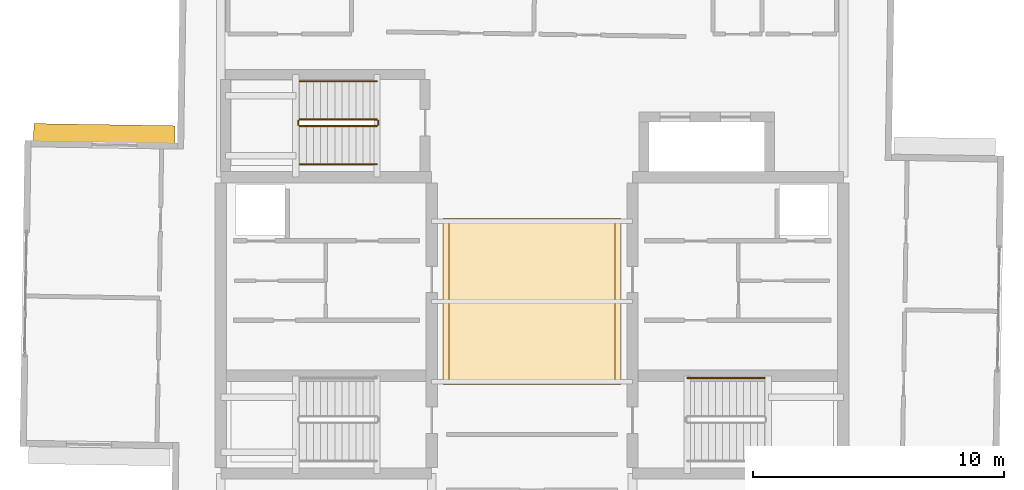
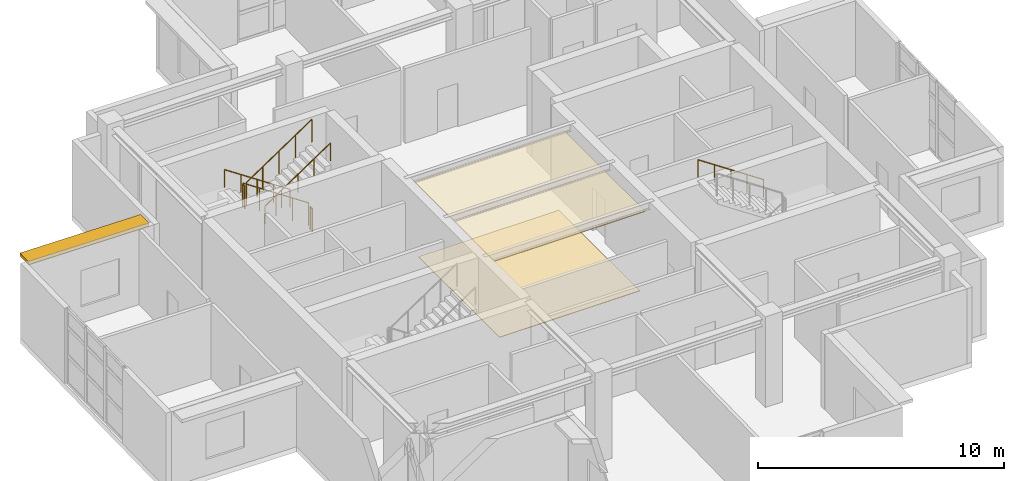
# One storey, part 14 of 15: 7 railings, 2 coverings, 1 shading device.
"""IFC4 building model written with IfcOpenShell, lengths in metres."""

from ifc_helpers import new_model, si_unit, direction, frame, origin, origin_with_axes, origin_2d, place, context, subcontext, project, spatial, rectangle, circle, extrude, material, layer, layer_set, type_object, element, save


model = new_model("IFC4")

# Units and contexts
model_context = context("Model", 3, precision=1e-05, world=origin(), true_north=direction((0.0, 1.0)))
body_context = subcontext(model_context, "Body", "Model", "MODEL_VIEW")
ifc_project = project(units=[si_unit("LENGTHUNIT", "METRE"), si_unit("AREAUNIT", "SQUARE_METRE"), si_unit("VOLUMEUNIT", "CUBIC_METRE"), si_unit("PLANEANGLEUNIT", "RADIAN"), si_unit("MASSUNIT", "GRAM", prefix="KILO")], contexts=[model_context])

# Site, building, storey
site_placement = place(None, origin())
site = spatial("IfcSite", under=ifc_project, at=site_placement, CompositionType="ELEMENT")
building_placement = place(site_placement, origin())
building = spatial("IfcBuilding", under=site, at=building_placement, Name="Qingluan Cross Belvedere", CompositionType="ELEMENT")
storey_placement = place(building_placement, frame((0.0, 0.0, 312.89990234375)))
storey = spatial("IfcBuildingStorey", under=building, at=storey_placement, Name="L77", CompositionType="ELEMENT", Elevation=312.89990234375)

# Covering
ifc_material_1 = material(Name="Perforated gypsum acoustic ceiling board")
ifc_layer_1 = layer(ifc_material_1, 0.0400390625, Name="AcousticLobbyCeiling_40")
ifc_layer_set_1 = layer_set([ifc_layer_1], Name="Perforated gypsum acoustic ceiling board")
covering_type_1 = type_object("IfcCoveringType", Name="AcousticLobbyCeiling_40", PredefinedType="CEILING", material=ifc_layer_set_1)
covering_1_placement = place(storey_placement, frame((0.0, 0.0, 3.860107421875), z_axis=(0.0, 0.0, 1.0), x_axis=(1.0, 0.0, 0.0)))
element("IfcCovering", 1, at=covering_1_placement, inside=storey, type_object=covering_type_1, Name="Central lobby acoustic ceiling L77", PredefinedType="CEILING", context=body_context, shape_type="SweptSolid", body=[
    extrude(rectangle(XDim=7.10009765625, YDim=6.60009765625, at=origin_2d()), origin(), (0.0, 0.0, 1.0), 0.0400390625),
])

# Shading device
ifc_material_2 = material(Name="Precast concrete C45", Category="concrete")
ifc_layer_2 = layer(ifc_material_2, 0.139892578125, Name="ConcreteSunshadeBand_700")
ifc_layer_set_2 = layer_set([ifc_layer_2], Name="Precast concrete C45")
shading_device_type = type_object("IfcShadingDeviceType", Name="ConcreteSunshadeBand_700", PredefinedType="USERDEFINED", material=ifc_layer_set_2)
shading_device_placement = place(storey_placement, frame((-17.037109375, 6.693359375, 3.55029296875), z_axis=(0.0, 0.0, 1.0), x_axis=(-0.999876562329, 0.015711782395, 0.0)))
element("IfcShadingDevice", 2, at=shading_device_placement, inside=storey, type_object=shading_device_type, Name="Concrete SUNSHADE L77-WA", ObjectType="SUNSHADE", PredefinedType="USERDEFINED", context=body_context, shape_type="SweptSolid", body=[
    extrude(rectangle(XDim=5.6298828125, YDim=0.699951171875, at=origin_2d()), origin(), (0.0, 0.0, 1.0), 0.159912109375),
])

# Covering
ifc_material_3 = material(Name="Honed Hubei grey granite stone flooring", Category="masonry")
ifc_layer_3 = layer(ifc_material_3, 0.030029296875, Name="GraniteLobbyFlooring_30")
ifc_layer_set_3 = layer_set([ifc_layer_3], Name="Honed Hubei grey granite stone flooring")
covering_type_2 = type_object("IfcCoveringType", Name="GraniteLobbyFlooring_30", PredefinedType="FLOORING", material=ifc_layer_set_3)
covering_2_placement = place(storey_placement, origin_with_axes())
element("IfcCovering", 3, at=covering_2_placement, inside=storey, type_object=covering_type_2, Name="Central lobby granite flooring L77", PredefinedType="FLOORING", context=body_context, shape_type="SweptSolid", body=[
    extrude(rectangle(XDim=6.60009765625, YDim=6.60009765625, at=origin_2d()), origin(), (0.0, 0.0, 1.0), 0.030029296875),
])

# Railings
ifc_material_4 = material(Name="Brushed stainless steel tubular handrail", Category="steel")
railing_type_1 = type_object("IfcRailingType", Name="StairPitchHandrail_900", PredefinedType="HANDRAIL", material=ifc_material_4)
for number, where, name in (
    (4, (9.260009765625, -3.050048828125, 2.4375), "L77 ST2 stair handrail 2"),
    (5, (-6.179931640625, 8.77001953125, 0.1875), "L77 ST3 stair handrail 1"),
):
    element("IfcRailing", number, at=place(storey_placement, frame(where)), inside=storey, type_object=railing_type_1, Name=name, PredefinedType="HANDRAIL", context=body_context, shape_type="SweptSolid", body=[
        extrude(circle(Radius=0.02392578125, at=origin_2d()), frame((0.0, 0.0, 0.8759765625), z_axis=(-0.830913701846, 0.0, 0.55640131208), x_axis=(0.0, -1.0, 0.0)), (0.0, 0.0, 1.0), 3.706787109375),
        extrude(circle(Radius=0.02099609375, at=origin_2d()), origin(), (0.0, 0.0, 1.0), 0.851806640625),
        extrude(circle(Radius=0.02099609375, at=origin_2d()), frame((-0.77001953125, 0.0, 0.515625)), (0.0, 0.0, 1.0), 0.851806640625),
        extrude(circle(Radius=0.02099609375, at=origin_2d()), frame((-1.5400390625, 0.0, 1.03125)), (0.0, 0.0, 1.0), 0.851806640625),
        extrude(circle(Radius=0.02099609375, at=origin_2d()), frame((-2.31005859375, 0.0, 1.546875)), (0.0, 0.0, 1.0), 0.851806640625),
        extrude(circle(Radius=0.02099609375, at=origin_2d()), frame((-3.080078125, 0.0, 2.0625)), (0.0, 0.0, 1.0), 0.851806640625),
    ])
railing_1_placement = place(storey_placement, frame((-9.260009765625, 5.469970703125, 2.4375)))
element("IfcRailing", 6, at=railing_1_placement, inside=storey, type_object=railing_type_1, Name="L77 ST3 stair handrail 2", PredefinedType="HANDRAIL", context=body_context, shape_type="SweptSolid", body=[
    extrude(circle(Radius=0.02392578125, at=origin_2d()), frame((0.0, 0.0, 0.8759765625), z_axis=(0.830913701846, 0.0, 0.55640131208), x_axis=(0.0, 1.0, 0.0)), (0.0, 0.0, 1.0), 3.706787109375),
    extrude(circle(Radius=0.02099609375, at=origin_2d()), origin(), (0.0, 0.0, 1.0), 0.851806640625),
    extrude(circle(Radius=0.02099609375, at=origin_2d()), frame((0.77001953125, 0.0, 0.515625)), (0.0, 0.0, 1.0), 0.851806640625),
    extrude(circle(Radius=0.02099609375, at=origin_2d()), frame((1.5400390625, 0.0, 1.03125)), (0.0, 0.0, 1.0), 0.851806640625),
    extrude(circle(Radius=0.02099609375, at=origin_2d()), frame((2.31005859375, 0.0, 1.546875)), (0.0, 0.0, 1.0), 0.851806640625),
    extrude(circle(Radius=0.02099609375, at=origin_2d()), frame((3.080078125, 0.0, 2.0625)), (0.0, 0.0, 1.0), 0.851806640625),
])
ifc_material_5 = material(Name="Painted steel stair well guard", Category="steel")
railing_type_2 = type_object("IfcRailingType", Name="StairWellGuard_1150", PredefinedType="BALUSTRADE", material=ifc_material_5)
railing_2_placement = place(storey_placement, frame((-6.179931640625, 7.25, 0.1875)))
element("IfcRailing", 7, at=railing_2_placement, inside=storey, type_object=railing_type_2, Name="L77 ST3 stair guard 1", PredefinedType="BALUSTRADE", context=body_context, shape_type="SweptSolid", body=[
    extrude(circle(Radius=0.02392578125, at=origin_2d()), frame((0.0, 0.0, 1.1259765625), z_axis=(-0.830913701846, 0.0, 0.55640131208), x_axis=(0.0, -1.0, 0.0)), (0.0, 0.0, 1.0), 3.706787109375),
    extrude(circle(Radius=0.02099609375, at=origin_2d()), origin(), (0.0, 0.0, 1.0), 1.101806640625),
    extrude(circle(Radius=0.02099609375, at=origin_2d()), frame((-0.77001953125, 0.0, 0.515625)), (0.0, 0.0, 1.0), 1.101806640625),
    extrude(circle(Radius=0.02099609375, at=origin_2d()), frame((-1.5400390625, 0.0, 1.03125)), (0.0, 0.0, 1.0), 1.101806640625),
    extrude(circle(Radius=0.02099609375, at=origin_2d()), frame((-2.31005859375, 0.0, 1.546875)), (0.0, 0.0, 1.0), 1.101806640625),
    extrude(circle(Radius=0.02099609375, at=origin_2d()), frame((-3.080078125, 0.0, 2.0625)), (0.0, 0.0, 1.0), 1.101806640625),
])
railing_3_placement = place(storey_placement, frame((-9.31005859375, 7.199951171875, 2.25)))
element("IfcRailing", 8, at=railing_3_placement, inside=storey, type_object=railing_type_2, Name="L77 ST3 stair guard 2", PredefinedType="BALUSTRADE", context=body_context, shape_type="SweptSolid", body=[
    extrude(circle(Radius=0.02392578125, at=origin_2d()), frame((0.0, 0.0, 1.1259765625), z_axis=(0.0, -1.0, 0.0), x_axis=(1.0, 0.0, 0.0)), (0.0, 0.0, 1.0), 0.159912109375),
    extrude(circle(Radius=0.02099609375, at=origin_2d()), origin(), (0.0, 0.0, 1.0), 1.101806640625),
    extrude(circle(Radius=0.02099609375, at=origin_2d()), frame((0.0, -0.159912109375, 0.0)), (0.0, 0.0, 1.0), 1.101806640625),
])
railing_4_placement = place(storey_placement, frame((-9.260009765625, 6.989990234375, 2.4375)))
element("IfcRailing", 9, at=railing_4_placement, inside=storey, type_object=railing_type_2, Name="L77 ST3 stair guard 3", PredefinedType="BALUSTRADE", context=body_context, shape_type="SweptSolid", body=[
    extrude(circle(Radius=0.02392578125, at=origin_2d()), frame((0.0, 0.0, 1.1259765625), z_axis=(0.830913701846, 0.0, 0.55640131208), x_axis=(0.0, 1.0, 0.0)), (0.0, 0.0, 1.0), 3.706787109375),
    extrude(circle(Radius=0.02099609375, at=origin_2d()), origin(), (0.0, 0.0, 1.0), 1.101806640625),
    extrude(circle(Radius=0.02099609375, at=origin_2d()), frame((0.77001953125, 0.0, 0.515625)), (0.0, 0.0, 1.0), 1.101806640625),
    extrude(circle(Radius=0.02099609375, at=origin_2d()), frame((1.5400390625, 0.0, 1.03125)), (0.0, 0.0, 1.0), 1.101806640625),
    extrude(circle(Radius=0.02099609375, at=origin_2d()), frame((2.31005859375, 0.0, 1.546875)), (0.0, 0.0, 1.0), 1.101806640625),
    extrude(circle(Radius=0.02099609375, at=origin_2d()), frame((3.080078125, 0.0, 2.0625)), (0.0, 0.0, 1.0), 1.101806640625),
])
railing_5_placement = place(storey_placement, frame((-6.1298828125, 7.199951171875, 0.0)))
element("IfcRailing", 10, at=railing_5_placement, inside=storey, type_object=railing_type_2, Name="L77 ST3 stair guard 4", PredefinedType="BALUSTRADE", context=body_context, shape_type="SweptSolid", body=[
    extrude(circle(Radius=0.02392578125, at=origin_2d()), frame((0.0, 0.0, 1.1259765625), z_axis=(0.0, -1.0, 0.0), x_axis=(1.0, 0.0, 0.0)), (0.0, 0.0, 1.0), 0.159912109375),
    extrude(circle(Radius=0.02099609375, at=origin_2d()), origin(), (0.0, 0.0, 1.0), 1.101806640625),
    extrude(circle(Radius=0.02099609375, at=origin_2d()), frame((0.0, -0.159912109375, 0.0)), (0.0, 0.0, 1.0), 1.101806640625),
])

save(model, "model.ifc")
